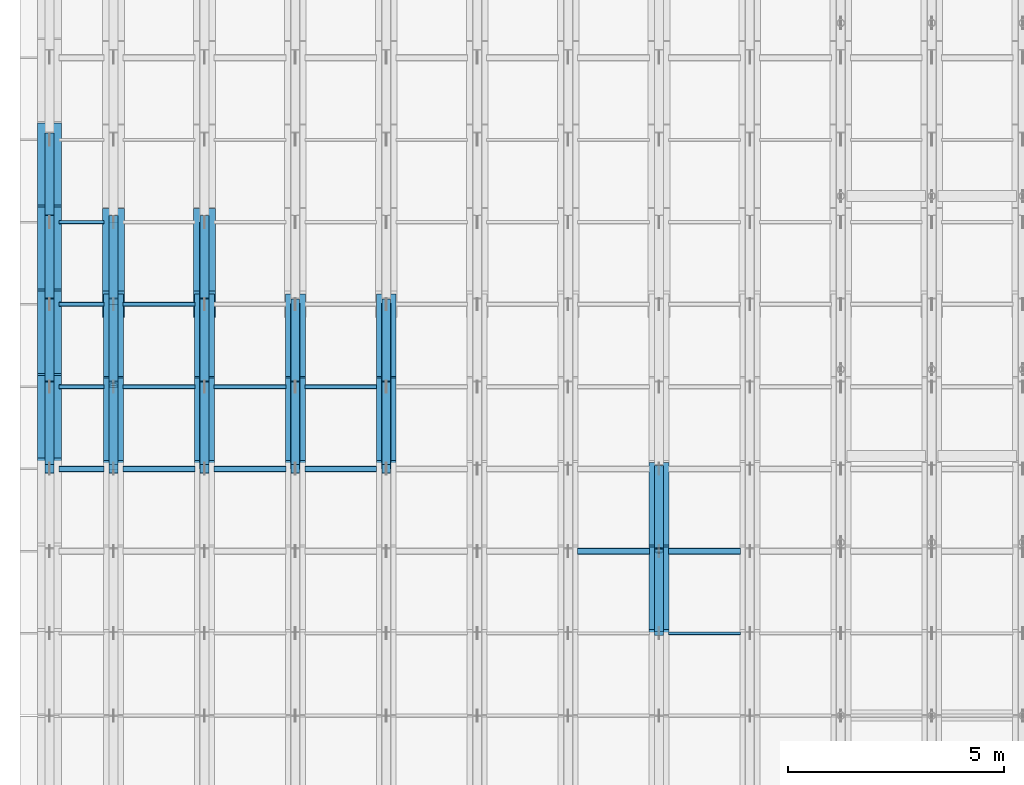
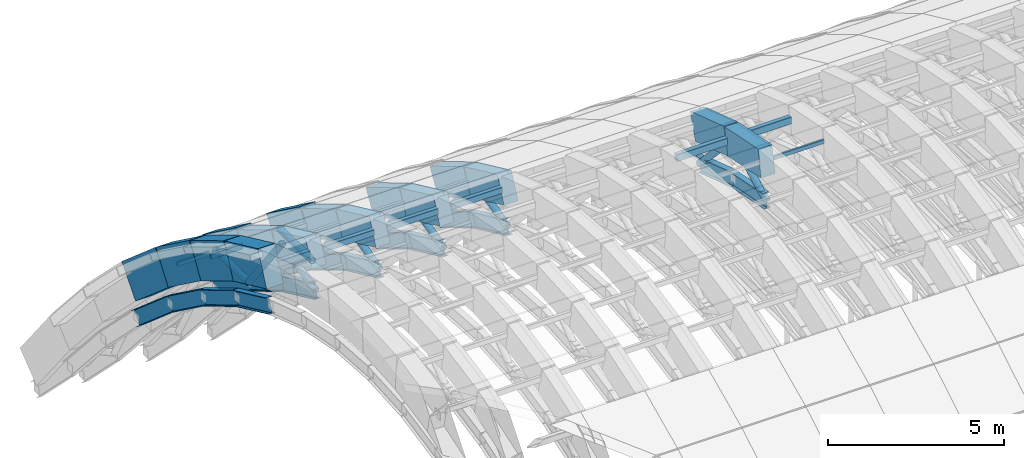
# One storey, part 13 of 67: 32 beams, 26 members.
"""IFC4 building model written with IfcOpenShell, lengths in metres."""

from ifc_helpers import new_model, si_unit, direction, frame, origin, origin_2d, place, context, subcontext, project, spatial, rectangle, hollow_rectangle, hollow_circle, i_section, extrude, material, material_profile, profile_set, type_object, element, save


model = new_model("IFC4")

# Units and contexts
model_context = context("Model", 3, precision=1e-05, world=origin(), true_north=direction((0.0, 1.0)))
body_context = subcontext(model_context, "Body", "Model", "MODEL_VIEW")
ifc_project = project(units=[si_unit("LENGTHUNIT", "METRE"), si_unit("AREAUNIT", "SQUARE_METRE"), si_unit("VOLUMEUNIT", "CUBIC_METRE"), si_unit("PLANEANGLEUNIT", "RADIAN"), si_unit("MASSUNIT", "GRAM", prefix="KILO")], contexts=[model_context])

# Site, building, storey
site_placement = place(None, origin())
site = spatial("IfcSite", under=ifc_project, at=site_placement, CompositionType="ELEMENT")
building_placement = place(site_placement, origin())
building = spatial("IfcBuilding", under=site, at=building_placement, Name="Shengluoqiao Park Theatre", CompositionType="ELEMENT")
storey_placement = place(building_placement, frame((0.0, 0.0, 28.60009765625)))
storey = spatial("IfcBuildingStorey", under=building, at=storey_placement, Name="Roof", CompositionType="ELEMENT", Elevation=28.60009765625)

# Beams
ifc_material_1 = material(Name="Concrete C50", Category="concrete")
ifc_material_profile_1 = material_profile(ifc_material_1, rectangle(XDim=0.4599609375, YDim=0.919921875, at=origin_2d()), Name="RC ARCH 460x920")
ifc_profile_set_1 = profile_set([ifc_material_profile_1], Name="Concrete C50")
beam_type_1 = type_object("IfcBeamType", Name="STR-BM-AR-4609", PredefinedType="BEAM", material=ifc_profile_set_1)
beam_1_placement = place(storey_placement, frame((46.5, 100.699951171875, 1.44580078125), z_axis=(0.0, 0.907077318021, -0.420964059192), x_axis=(-1.0, 0.0, 0.0)))
element("IfcBeam", 1, at=beam_1_placement, inside=storey, type_object=beam_type_1, Name="Barrel-Shell Arch Rib R02-S14", PredefinedType="BEAM", context=body_context, shape_type="SweptSolid", body=[
    extrude(rectangle(XDim=0.4599609375, YDim=0.919921875, at=origin_2d()), origin(), (0.0, 0.0, 1.0), 2.0947265625),
])
beam_2_placement = place(storey_placement, frame((46.5, 102.60009765625, 0.56396484375), z_axis=(0.0, 0.858668723557, -0.512530997292), x_axis=(-1.0, 0.0, 0.0)))
element("IfcBeam", 2, at=beam_2_placement, inside=storey, type_object=beam_type_1, Name="Barrel-Shell Arch Rib R02-S15", PredefinedType="BEAM", context=body_context, shape_type="SweptSolid", body=[
    extrude(rectangle(XDim=0.4599609375, YDim=0.919921875, at=origin_2d()), origin(), (0.0, 0.0, 1.0), 2.212646484375),
])
beam_3_placement = place(storey_placement, frame((48.60009765625, 100.699951171875, 1.44580078125), z_axis=(0.0, 0.907077318021, -0.420964059192), x_axis=(-1.0, 0.0, 0.0)))
element("IfcBeam", 3, at=beam_3_placement, inside=storey, type_object=beam_type_1, Name="Barrel-Shell Arch Rib R03-S14", PredefinedType="BEAM", context=body_context, shape_type="SweptSolid", body=[
    extrude(rectangle(XDim=0.4599609375, YDim=0.919921875, at=origin_2d()), origin(), (0.0, 0.0, 1.0), 2.0947265625),
])
beam_4_placement = place(storey_placement, frame((48.60009765625, 102.60009765625, 0.56396484375), z_axis=(0.0, 0.858668723557, -0.512530997292), x_axis=(-1.0, 0.0, 0.0)))
element("IfcBeam", 4, at=beam_4_placement, inside=storey, type_object=beam_type_1, Name="Barrel-Shell Arch Rib R03-S15", PredefinedType="BEAM", context=body_context, shape_type="SweptSolid", body=[
    extrude(rectangle(XDim=0.4599609375, YDim=0.919921875, at=origin_2d()), origin(), (0.0, 0.0, 1.0), 2.212646484375),
])
beam_5_placement = place(storey_placement, frame((50.699951171875, 100.699951171875, 1.44580078125), z_axis=(0.0, 0.907077318021, -0.420964059192), x_axis=(-1.0, 0.0, 0.0)))
element("IfcBeam", 5, at=beam_5_placement, inside=storey, type_object=beam_type_1, Name="Barrel-Shell Arch Rib R04-S14", PredefinedType="BEAM", context=body_context, shape_type="SweptSolid", body=[
    extrude(rectangle(XDim=0.4599609375, YDim=0.919921875, at=origin_2d()), origin(), (0.0, 0.0, 1.0), 2.0947265625),
])
beam_6_placement = place(storey_placement, frame((50.699951171875, 102.60009765625, 0.56396484375), z_axis=(0.0, 0.858668723557, -0.512530997292), x_axis=(-1.0, 0.0, 0.0)))
element("IfcBeam", 6, at=beam_6_placement, inside=storey, type_object=beam_type_1, Name="Barrel-Shell Arch Rib R04-S15", PredefinedType="BEAM", context=body_context, shape_type="SweptSolid", body=[
    extrude(rectangle(XDim=0.4599609375, YDim=0.919921875, at=origin_2d()), origin(), (0.0, 0.0, 1.0), 2.212646484375),
])
beam_7_placement = place(storey_placement, frame((52.800048828125, 100.699951171875, 1.44580078125), z_axis=(0.0, 0.907077318021, -0.420964059192), x_axis=(-1.0, 0.0, 0.0)))
element("IfcBeam", 7, at=beam_7_placement, inside=storey, type_object=beam_type_1, Name="Barrel-Shell Arch Rib R05-S14", PredefinedType="BEAM", context=body_context, shape_type="SweptSolid", body=[
    extrude(rectangle(XDim=0.4599609375, YDim=0.919921875, at=origin_2d()), origin(), (0.0, 0.0, 1.0), 2.0947265625),
])
beam_8_placement = place(storey_placement, frame((52.800048828125, 102.60009765625, 0.56396484375), z_axis=(0.0, 0.858668723557, -0.512530997292), x_axis=(-1.0, 0.0, 0.0)))
element("IfcBeam", 8, at=beam_8_placement, inside=storey, type_object=beam_type_1, Name="Barrel-Shell Arch Rib R05-S15", PredefinedType="BEAM", context=body_context, shape_type="SweptSolid", body=[
    extrude(rectangle(XDim=0.4599609375, YDim=0.919921875, at=origin_2d()), origin(), (0.0, 0.0, 1.0), 2.212646484375),
])
beam_9_placement = place(storey_placement, frame((59.10009765625, 96.89990234375, 2.453857421875), z_axis=(0.0, 0.980788534345, -0.195073962632), x_axis=(-1.0, 0.0, 0.0)))
element("IfcBeam", 9, at=beam_9_placement, inside=storey, type_object=beam_type_1, Name="Barrel-Shell Arch Rib R08-S12", PredefinedType="BEAM", context=body_context, shape_type="SweptSolid", body=[
    extrude(rectangle(XDim=0.4599609375, YDim=0.919921875, at=origin_2d()), origin(), (0.0, 0.0, 1.0), 1.937255859375),
])
beam_10_placement = place(storey_placement, frame((59.10009765625, 98.800048828125, 2.075927734375), z_axis=(0.0, 0.949157901431, -0.314800378257), x_axis=(-1.0, 0.0, 0.0)))
element("IfcBeam", 10, at=beam_10_placement, inside=storey, type_object=beam_type_1, Name="Barrel-Shell Arch Rib R08-S13", PredefinedType="BEAM", context=body_context, shape_type="SweptSolid", body=[
    extrude(rectangle(XDim=0.4599609375, YDim=0.919921875, at=origin_2d()), origin(), (0.0, 0.0, 1.0), 2.001708984375),
])
ifc_material_profile_2 = material_profile(ifc_material_1, rectangle(XDim=0.5, YDim=1.050048828125, at=origin_2d()), Name="RC ARCH 500x1050")
ifc_profile_set_2 = profile_set([ifc_material_profile_2], Name="Concrete C50")
beam_type_2 = type_object("IfcBeamType", Name="STR-BM-AR-5010", PredefinedType="BEAM", material=ifc_profile_set_2)
for number, where, z_axis, x_axis, name in (
    (11, (46.5, 104.5, -0.570068359375), (0.0, 0.807877780345, -0.589350058985), (-1.0, 0.0, 0.0), "Barrel-Shell Arch Rib R02-S16"),
    (12, (48.60009765625, 104.5, -0.570068359375), (0.0, 0.807877780345, -0.589350058985), (-1.0, 0.0, 0.0), "Barrel-Shell Arch Rib R03-S16"),
):
    element("IfcBeam", number, at=place(storey_placement, frame(where, z_axis=z_axis, x_axis=x_axis)), inside=storey, type_object=beam_type_2, Name=name, PredefinedType="BEAM", context=body_context, shape_type="SweptSolid", body=[
        extrude(rectangle(XDim=0.5, YDim=1.050048828125, at=origin_2d()), origin(), (0.0, 0.0, 1.0), 2.351806640625),
    ])
ifc_material_profile_3 = material_profile(ifc_material_1, rectangle(XDim=0.550048828125, YDim=1.199951171875, at=origin_2d()), Name="RC ARCH 550x1200")
ifc_profile_set_3 = profile_set([ifc_material_profile_3], Name="Concrete C50")
beam_type_3 = type_object("IfcBeamType", Name="STR-BM-AR-5512", PredefinedType="BEAM", material=ifc_profile_set_3)
beam_11_placement = place(storey_placement, frame((45.02001953125, 100.699951171875, 1.44580078125), z_axis=(0.0, 0.907077318021, -0.420964059192), x_axis=(-1.0, 0.0, 0.0)))
element("IfcBeam", 13, at=beam_11_placement, inside=storey, type_object=beam_type_3, Name="Barrel-Shell Arch Rib R01-S14", PredefinedType="BEAM", context=body_context, shape_type="SweptSolid", body=[
    extrude(rectangle(XDim=0.550048828125, YDim=1.199951171875, at=origin_2d()), origin(), (0.0, 0.0, 1.0), 2.0947265625),
])
beam_12_placement = place(storey_placement, frame((45.02001953125, 102.60009765625, 0.56396484375), z_axis=(0.0, 0.858668723557, -0.512530997292), x_axis=(-1.0, 0.0, 0.0)))
element("IfcBeam", 14, at=beam_12_placement, inside=storey, type_object=beam_type_3, Name="Barrel-Shell Arch Rib R01-S15", PredefinedType="BEAM", context=body_context, shape_type="SweptSolid", body=[
    extrude(rectangle(XDim=0.550048828125, YDim=1.199951171875, at=origin_2d()), origin(), (0.0, 0.0, 1.0), 2.212646484375),
])
beam_13_placement = place(storey_placement, frame((45.02001953125, 104.5, -0.570068359375), z_axis=(0.0, 0.807877780345, -0.589350058985), x_axis=(-1.0, 0.0, 0.0)))
element("IfcBeam", 15, at=beam_13_placement, inside=storey, type_object=beam_type_3, Name="Barrel-Shell Arch Rib R01-S16", PredefinedType="BEAM", context=body_context, shape_type="SweptSolid", body=[
    extrude(rectangle(XDim=0.550048828125, YDim=1.199951171875, at=origin_2d()), origin(), (0.0, 0.0, 1.0), 2.351806640625),
])
beam_14_placement = place(storey_placement, frame((45.02001953125, 106.39990234375, -1.9560546875), z_axis=(0.0, 0.757433195517, -0.652912669757), x_axis=(-1.0, 0.0, 0.0)))
element("IfcBeam", 16, at=beam_14_placement, inside=storey, type_object=beam_type_3, Name="Barrel-Shell Arch Rib R01-S17", PredefinedType="BEAM", context=body_context, shape_type="SweptSolid", body=[
    extrude(rectangle(XDim=0.550048828125, YDim=1.199951171875, at=origin_2d()), origin(), (0.0, 0.0, 1.0), 2.508544921875),
])
ifc_material_2 = material(Name="Steel Q355", Category="steel")
ifc_material_profile_4 = material_profile(ifc_material_2, i_section(OverallWidth=0.199951171875, OverallDepth=0.5, WebThickness=0.010009765625, FlangeThickness=0.01611328125, FilletRadius=0.01806640625, at=origin_2d()), Name="HN 500x200x10x16")
ifc_profile_set_4 = profile_set([ifc_material_profile_4], Name="Steel Q355")
beam_type_4 = type_object("IfcBeamType", Name="STR-BM-J-HN500", PredefinedType="JOIST", material=ifc_profile_set_4)
beam_15_placement = place(storey_placement, frame((45.02001953125, 100.699951171875, 0.0859375), z_axis=(0.0, 0.907032812412, -0.421059944911), x_axis=(-1.0, 0.0, 0.0)))
element("IfcBeam", 17, at=beam_15_placement, inside=storey, type_object=beam_type_4, Name="Barrel-Shell Lower Arch Chord R01-S14", PredefinedType="JOIST", context=body_context, shape_type="SweptSolid", body=[
    extrude(i_section(OverallWidth=0.199951171875, OverallDepth=0.5, WebThickness=0.010009765625, FlangeThickness=0.01611328125, FilletRadius=0.01806640625, at=origin_2d()), origin(), (0.0, 0.0, 1.0), 2.094970703125),
])
beam_16_placement = place(storey_placement, frame((45.02001953125, 102.60009765625, -0.796142578125), z_axis=(0.0, 0.858668723557, -0.512530997292), x_axis=(-1.0, 0.0, 0.0)))
element("IfcBeam", 18, at=beam_16_placement, inside=storey, type_object=beam_type_4, Name="Barrel-Shell Lower Arch Chord R01-S15", PredefinedType="JOIST", context=body_context, shape_type="SweptSolid", body=[
    extrude(i_section(OverallWidth=0.199951171875, OverallDepth=0.5, WebThickness=0.010009765625, FlangeThickness=0.01611328125, FilletRadius=0.01806640625, at=origin_2d()), origin(), (0.0, 0.0, 1.0), 2.212646484375),
])
beam_17_placement = place(storey_placement, frame((45.02001953125, 104.5, -1.93017578125), z_axis=(0.0, 0.807877780345, -0.589350058985), x_axis=(-1.0, 0.0, 0.0)))
element("IfcBeam", 19, at=beam_17_placement, inside=storey, type_object=beam_type_4, Name="Barrel-Shell Lower Arch Chord R01-S16", PredefinedType="JOIST", context=body_context, shape_type="SweptSolid", body=[
    extrude(i_section(OverallWidth=0.199951171875, OverallDepth=0.5, WebThickness=0.010009765625, FlangeThickness=0.01611328125, FilletRadius=0.01806640625, at=origin_2d()), origin(), (0.0, 0.0, 1.0), 2.351806640625),
])
beam_18_placement = place(storey_placement, frame((45.02001953125, 106.39990234375, -3.316162109375), z_axis=(0.0, 0.757433195517, -0.652912669757), x_axis=(-1.0, 0.0, 0.0)))
element("IfcBeam", 20, at=beam_18_placement, inside=storey, type_object=beam_type_4, Name="Barrel-Shell Lower Arch Chord R01-S17", PredefinedType="JOIST", context=body_context, shape_type="SweptSolid", body=[
    extrude(i_section(OverallWidth=0.199951171875, OverallDepth=0.5, WebThickness=0.010009765625, FlangeThickness=0.01611328125, FilletRadius=0.01806640625, at=origin_2d()), origin(), (0.0, 0.0, 1.0), 2.508544921875),
])
beam_19_placement = place(storey_placement, frame((46.5, 100.699951171875, 0.0859375), z_axis=(0.0, 0.907032812412, -0.421059944911), x_axis=(-1.0, 0.0, 0.0)))
element("IfcBeam", 21, at=beam_19_placement, inside=storey, type_object=beam_type_4, Name="Barrel-Shell Lower Arch Chord R02-S14", PredefinedType="JOIST", context=body_context, shape_type="SweptSolid", body=[
    extrude(i_section(OverallWidth=0.199951171875, OverallDepth=0.5, WebThickness=0.010009765625, FlangeThickness=0.01611328125, FilletRadius=0.01806640625, at=origin_2d()), origin(), (0.0, 0.0, 1.0), 2.094970703125),
])
beam_20_placement = place(storey_placement, frame((46.5, 102.60009765625, -0.796142578125), z_axis=(0.0, 0.858668723557, -0.512530997292), x_axis=(-1.0, 0.0, 0.0)))
element("IfcBeam", 22, at=beam_20_placement, inside=storey, type_object=beam_type_4, Name="Barrel-Shell Lower Arch Chord R02-S15", PredefinedType="JOIST", context=body_context, shape_type="SweptSolid", body=[
    extrude(i_section(OverallWidth=0.199951171875, OverallDepth=0.5, WebThickness=0.010009765625, FlangeThickness=0.01611328125, FilletRadius=0.01806640625, at=origin_2d()), origin(), (0.0, 0.0, 1.0), 2.212646484375),
])
beam_21_placement = place(storey_placement, frame((46.5, 104.5, -1.93017578125), z_axis=(0.0, 0.807877780345, -0.589350058985), x_axis=(-1.0, 0.0, 0.0)))
element("IfcBeam", 23, at=beam_21_placement, inside=storey, type_object=beam_type_4, Name="Barrel-Shell Lower Arch Chord R02-S16", PredefinedType="JOIST", context=body_context, shape_type="SweptSolid", body=[
    extrude(i_section(OverallWidth=0.199951171875, OverallDepth=0.5, WebThickness=0.010009765625, FlangeThickness=0.01611328125, FilletRadius=0.01806640625, at=origin_2d()), origin(), (0.0, 0.0, 1.0), 2.351806640625),
])
beam_22_placement = place(storey_placement, frame((48.60009765625, 100.699951171875, 0.0859375), z_axis=(0.0, 0.907032812412, -0.421059944911), x_axis=(-1.0, 0.0, 0.0)))
element("IfcBeam", 24, at=beam_22_placement, inside=storey, type_object=beam_type_4, Name="Barrel-Shell Lower Arch Chord R03-S14", PredefinedType="JOIST", context=body_context, shape_type="SweptSolid", body=[
    extrude(i_section(OverallWidth=0.199951171875, OverallDepth=0.5, WebThickness=0.010009765625, FlangeThickness=0.01611328125, FilletRadius=0.01806640625, at=origin_2d()), origin(), (0.0, 0.0, 1.0), 2.094970703125),
])
beam_23_placement = place(storey_placement, frame((48.60009765625, 102.60009765625, -0.796142578125), z_axis=(0.0, 0.858668723557, -0.512530997292), x_axis=(-1.0, 0.0, 0.0)))
element("IfcBeam", 25, at=beam_23_placement, inside=storey, type_object=beam_type_4, Name="Barrel-Shell Lower Arch Chord R03-S15", PredefinedType="JOIST", context=body_context, shape_type="SweptSolid", body=[
    extrude(i_section(OverallWidth=0.199951171875, OverallDepth=0.5, WebThickness=0.010009765625, FlangeThickness=0.01611328125, FilletRadius=0.01806640625, at=origin_2d()), origin(), (0.0, 0.0, 1.0), 2.212646484375),
])
beam_24_placement = place(storey_placement, frame((48.60009765625, 104.5, -1.93017578125), z_axis=(0.0, 0.807877780345, -0.589350058985), x_axis=(-1.0, 0.0, 0.0)))
element("IfcBeam", 26, at=beam_24_placement, inside=storey, type_object=beam_type_4, Name="Barrel-Shell Lower Arch Chord R03-S16", PredefinedType="JOIST", context=body_context, shape_type="SweptSolid", body=[
    extrude(i_section(OverallWidth=0.199951171875, OverallDepth=0.5, WebThickness=0.010009765625, FlangeThickness=0.01611328125, FilletRadius=0.01806640625, at=origin_2d()), origin(), (0.0, 0.0, 1.0), 2.351806640625),
])
beam_25_placement = place(storey_placement, frame((50.699951171875, 100.699951171875, 0.0859375), z_axis=(0.0, 0.907032812412, -0.421059944911), x_axis=(-1.0, 0.0, 0.0)))
element("IfcBeam", 27, at=beam_25_placement, inside=storey, type_object=beam_type_4, Name="Barrel-Shell Lower Arch Chord R04-S14", PredefinedType="JOIST", context=body_context, shape_type="SweptSolid", body=[
    extrude(i_section(OverallWidth=0.199951171875, OverallDepth=0.5, WebThickness=0.010009765625, FlangeThickness=0.01611328125, FilletRadius=0.01806640625, at=origin_2d()), origin(), (0.0, 0.0, 1.0), 2.094970703125),
])
beam_26_placement = place(storey_placement, frame((50.699951171875, 102.60009765625, -0.796142578125), z_axis=(0.0, 0.858668723557, -0.512530997292), x_axis=(-1.0, 0.0, 0.0)))
element("IfcBeam", 28, at=beam_26_placement, inside=storey, type_object=beam_type_4, Name="Barrel-Shell Lower Arch Chord R04-S15", PredefinedType="JOIST", context=body_context, shape_type="SweptSolid", body=[
    extrude(i_section(OverallWidth=0.199951171875, OverallDepth=0.5, WebThickness=0.010009765625, FlangeThickness=0.01611328125, FilletRadius=0.01806640625, at=origin_2d()), origin(), (0.0, 0.0, 1.0), 2.212646484375),
])
beam_27_placement = place(storey_placement, frame((52.800048828125, 100.699951171875, 0.0859375), z_axis=(0.0, 0.907032812412, -0.421059944911), x_axis=(-1.0, 0.0, 0.0)))
element("IfcBeam", 29, at=beam_27_placement, inside=storey, type_object=beam_type_4, Name="Barrel-Shell Lower Arch Chord R05-S14", PredefinedType="JOIST", context=body_context, shape_type="SweptSolid", body=[
    extrude(i_section(OverallWidth=0.199951171875, OverallDepth=0.5, WebThickness=0.010009765625, FlangeThickness=0.01611328125, FilletRadius=0.01806640625, at=origin_2d()), origin(), (0.0, 0.0, 1.0), 2.094970703125),
])
beam_28_placement = place(storey_placement, frame((52.800048828125, 102.60009765625, -0.796142578125), z_axis=(0.0, 0.858668723557, -0.512530997292), x_axis=(-1.0, 0.0, 0.0)))
element("IfcBeam", 30, at=beam_28_placement, inside=storey, type_object=beam_type_4, Name="Barrel-Shell Lower Arch Chord R05-S15", PredefinedType="JOIST", context=body_context, shape_type="SweptSolid", body=[
    extrude(i_section(OverallWidth=0.199951171875, OverallDepth=0.5, WebThickness=0.010009765625, FlangeThickness=0.01611328125, FilletRadius=0.01806640625, at=origin_2d()), origin(), (0.0, 0.0, 1.0), 2.212646484375),
])
beam_29_placement = place(storey_placement, frame((59.10009765625, 96.89990234375, 1.093994140625), z_axis=(0.0, 0.980764417124, -0.19519517951), x_axis=(-1.0, 0.0, 0.0)))
element("IfcBeam", 31, at=beam_29_placement, inside=storey, type_object=beam_type_4, Name="Barrel-Shell Lower Arch Chord R08-S12", PredefinedType="JOIST", context=body_context, shape_type="SweptSolid", body=[
    extrude(i_section(OverallWidth=0.199951171875, OverallDepth=0.5, WebThickness=0.010009765625, FlangeThickness=0.01611328125, FilletRadius=0.01806640625, at=origin_2d()), origin(), (0.0, 0.0, 1.0), 1.9375),
])
beam_30_placement = place(storey_placement, frame((59.10009765625, 98.800048828125, 0.7158203125), z_axis=(0.0, 0.949194340043, -0.314690490531), x_axis=(-1.0, 0.0, 0.0)))
element("IfcBeam", 32, at=beam_30_placement, inside=storey, type_object=beam_type_4, Name="Barrel-Shell Lower Arch Chord R08-S13", PredefinedType="JOIST", context=body_context, shape_type="SweptSolid", body=[
    extrude(i_section(OverallWidth=0.199951171875, OverallDepth=0.5, WebThickness=0.010009765625, FlangeThickness=0.01611328125, FilletRadius=0.01806640625, at=origin_2d()), origin(), (0.0, 0.0, 1.0), 2.001708984375),
])

# Members
ifc_material_profile_5 = material_profile(ifc_material_2, hollow_circle(Radius=0.109619140625, WallThickness=0.010009765625, at=origin_2d()), Name="CHS 219x10")
ifc_profile_set_5 = profile_set([ifc_material_profile_5], Name="Steel Q355")
member_type_1 = type_object("IfcMemberType", Name="STR-MEM-BRC-219", PredefinedType="BRACE", material=ifc_profile_set_5)
member_1_placement = place(storey_placement, frame((46.5, 100.699951171875, 0.0859375), z_axis=(0.0, 0.96978228772, 0.243971954176), x_axis=(-1.0, 0.0, 0.0)))
element("IfcMember", 33, at=member_1_placement, inside=storey, type_object=member_type_1, Name="Barrel-Shell Arch Truss Web 0034", PredefinedType="BRACE", context=body_context, shape_type="SweptSolid", body=[
    extrude(hollow_circle(Radius=0.109619140625, WallThickness=0.010009765625, at=origin_2d()), origin(), (0.0, 0.0, 1.0), 1.95947265625),
])
member_2_placement = place(storey_placement, frame((46.5, 102.60009765625, 0.56396484375), z_axis=(0.0, 0.605963445698, -0.795492490523), x_axis=(-1.0, 0.0, 0.0)))
element("IfcMember", 34, at=member_2_placement, inside=storey, type_object=member_type_1, Name="Barrel-Shell Arch Truss Web 0035", PredefinedType="BRACE", context=body_context, shape_type="SweptSolid", body=[
    extrude(hollow_circle(Radius=0.109619140625, WallThickness=0.010009765625, at=origin_2d()), origin(), (0.0, 0.0, 1.0), 3.13525390625),
])
member_3_placement = place(storey_placement, frame((46.5, 104.5, -1.93017578125), z_axis=(0.0, 0.999907244674, -0.013619913639), x_axis=(-1.0, 0.0, 0.0)))
element("IfcMember", 35, at=member_3_placement, inside=storey, type_object=member_type_1, Name="Barrel-Shell Arch Truss Web 0036", PredefinedType="BRACE", context=body_context, shape_type="SweptSolid", body=[
    extrude(hollow_circle(Radius=0.109619140625, WallThickness=0.010009765625, at=origin_2d()), origin(), (0.0, 0.0, 1.0), 1.900146484375),
])
member_4_placement = place(storey_placement, frame((48.60009765625, 100.699951171875, 0.0859375), z_axis=(0.0, 0.96978228772, 0.243971954176), x_axis=(-1.0, 0.0, 0.0)))
element("IfcMember", 36, at=member_4_placement, inside=storey, type_object=member_type_1, Name="Barrel-Shell Arch Truss Web 0054", PredefinedType="BRACE", context=body_context, shape_type="SweptSolid", body=[
    extrude(hollow_circle(Radius=0.109619140625, WallThickness=0.010009765625, at=origin_2d()), origin(), (0.0, 0.0, 1.0), 1.95947265625),
])
member_5_placement = place(storey_placement, frame((48.60009765625, 102.60009765625, 0.56396484375), z_axis=(0.0, 0.605963445698, -0.795492490523), x_axis=(-1.0, 0.0, 0.0)))
element("IfcMember", 37, at=member_5_placement, inside=storey, type_object=member_type_1, Name="Barrel-Shell Arch Truss Web 0055", PredefinedType="BRACE", context=body_context, shape_type="SweptSolid", body=[
    extrude(hollow_circle(Radius=0.109619140625, WallThickness=0.010009765625, at=origin_2d()), origin(), (0.0, 0.0, 1.0), 3.13525390625),
])
member_6_placement = place(storey_placement, frame((48.60009765625, 104.5, -1.93017578125), z_axis=(0.0, 0.999907244674, -0.013619913639), x_axis=(-1.0, 0.0, 0.0)))
element("IfcMember", 38, at=member_6_placement, inside=storey, type_object=member_type_1, Name="Barrel-Shell Arch Truss Web 0056", PredefinedType="BRACE", context=body_context, shape_type="SweptSolid", body=[
    extrude(hollow_circle(Radius=0.109619140625, WallThickness=0.010009765625, at=origin_2d()), origin(), (0.0, 0.0, 1.0), 1.900146484375),
])
member_7_placement = place(storey_placement, frame((50.699951171875, 100.699951171875, 0.0859375), z_axis=(0.0, 0.96978228772, 0.243971954176), x_axis=(-1.0, 0.0, 0.0)))
element("IfcMember", 39, at=member_7_placement, inside=storey, type_object=member_type_1, Name="Barrel-Shell Arch Truss Web 0074", PredefinedType="BRACE", context=body_context, shape_type="SweptSolid", body=[
    extrude(hollow_circle(Radius=0.109619140625, WallThickness=0.010009765625, at=origin_2d()), origin(), (0.0, 0.0, 1.0), 1.95947265625),
])
member_8_placement = place(storey_placement, frame((50.699951171875, 102.60009765625, 0.56396484375), z_axis=(0.0, 0.605963445698, -0.795492490523), x_axis=(-1.0, 0.0, 0.0)))
element("IfcMember", 40, at=member_8_placement, inside=storey, type_object=member_type_1, Name="Barrel-Shell Arch Truss Web 0075", PredefinedType="BRACE", context=body_context, shape_type="SweptSolid", body=[
    extrude(hollow_circle(Radius=0.109619140625, WallThickness=0.010009765625, at=origin_2d()), origin(), (0.0, 0.0, 1.0), 3.13525390625),
])
member_9_placement = place(storey_placement, frame((52.800048828125, 100.699951171875, 0.0859375), z_axis=(0.0, 0.96978228772, 0.243971954176), x_axis=(-1.0, 0.0, 0.0)))
element("IfcMember", 41, at=member_9_placement, inside=storey, type_object=member_type_1, Name="Barrel-Shell Arch Truss Web 0094", PredefinedType="BRACE", context=body_context, shape_type="SweptSolid", body=[
    extrude(hollow_circle(Radius=0.109619140625, WallThickness=0.010009765625, at=origin_2d()), origin(), (0.0, 0.0, 1.0), 1.95947265625),
])
member_10_placement = place(storey_placement, frame((52.800048828125, 102.60009765625, 0.56396484375), z_axis=(0.0, 0.605963445698, -0.795492490523), x_axis=(-1.0, 0.0, 0.0)))
element("IfcMember", 42, at=member_10_placement, inside=storey, type_object=member_type_1, Name="Barrel-Shell Arch Truss Web 0095", PredefinedType="BRACE", context=body_context, shape_type="SweptSolid", body=[
    extrude(hollow_circle(Radius=0.109619140625, WallThickness=0.010009765625, at=origin_2d()), origin(), (0.0, 0.0, 1.0), 3.13525390625),
])
member_11_placement = place(storey_placement, frame((59.10009765625, 96.89990234375, 1.093994140625), z_axis=(0.0, 0.888389440766, 0.459090624535), x_axis=(-1.0, 0.0, 0.0)))
element("IfcMember", 43, at=member_11_placement, inside=storey, type_object=member_type_1, Name="Barrel-Shell Arch Truss Web 0152", PredefinedType="BRACE", context=body_context, shape_type="SweptSolid", body=[
    extrude(hollow_circle(Radius=0.109619140625, WallThickness=0.010009765625, at=origin_2d()), origin(), (0.0, 0.0, 1.0), 2.138916015625),
])
member_12_placement = place(storey_placement, frame((59.10009765625, 98.800048828125, 2.075927734375), z_axis=(0.0, 0.690545389436, -0.723289060562), x_axis=(-1.0, 0.0, 0.0)))
element("IfcMember", 44, at=member_12_placement, inside=storey, type_object=member_type_1, Name="Barrel-Shell Arch Truss Web 0153", PredefinedType="BRACE", context=body_context, shape_type="SweptSolid", body=[
    extrude(hollow_circle(Radius=0.109619140625, WallThickness=0.010009765625, at=origin_2d()), origin(), (0.0, 0.0, 1.0), 2.751220703125),
])
ifc_material_profile_6 = material_profile(ifc_material_2, hollow_rectangle(XDim=0.070068359375, YDim=0.139892578125, WallThickness=0.006103515625, InnerFilletRadius=0.006103515625, OuterFilletRadius=0.011962890625, at=origin_2d()), Name="RHS 140x70x6")
ifc_profile_set_6 = profile_set([ifc_material_profile_6], Name="Steel Q355")
member_type_2 = type_object("IfcMemberType", Name="STR-MEM-PU-R140", PredefinedType="PURLIN", material=ifc_profile_set_6)
member_13_placement = place(storey_placement, frame((59.320068359375, 96.89990234375, 2.50390625), z_axis=(1.0, 0.0, 0.0), x_axis=(0.0, 1.0, 0.0)))
element("IfcMember", 45, at=member_13_placement, inside=storey, type_object=member_type_2, Name="Shell Longitudinal Purlin 0144", PredefinedType="PURLIN", context=body_context, shape_type="SweptSolid", body=[
    extrude(hollow_rectangle(XDim=0.070068359375, YDim=0.139892578125, WallThickness=0.006103515625, InnerFilletRadius=0.006103515625, OuterFilletRadius=0.011962890625, at=origin_2d()), origin(), (0.0, 0.0, 1.0), 1.659912109375),
])
ifc_material_profile_7 = material_profile(ifc_material_2, hollow_rectangle(XDim=0.080078125, YDim=0.159912109375, WallThickness=0.006103515625, InnerFilletRadius=0.006103515625, OuterFilletRadius=0.011962890625, at=origin_2d()), Name="RHS 160x80x6")
ifc_profile_set_7 = profile_set([ifc_material_profile_7], Name="Steel Q355")
member_type_3 = type_object("IfcMemberType", Name="STR-MEM-PU-R160", PredefinedType="PURLIN", material=ifc_profile_set_7)
member_14_placement = place(storey_placement, frame((45.239990234375, 106.39990234375, -2.006103515625), z_axis=(1.0, 0.0, 0.0), x_axis=(0.0, 1.0, 0.0)))
element("IfcMember", 46, at=member_14_placement, inside=storey, type_object=member_type_3, Name="Shell Longitudinal Purlin 0016", PredefinedType="PURLIN", context=body_context, shape_type="SweptSolid", body=[
    extrude(hollow_rectangle(XDim=0.080078125, YDim=0.159912109375, WallThickness=0.006103515625, InnerFilletRadius=0.006103515625, OuterFilletRadius=0.011962890625, at=origin_2d()), origin(), (0.0, 0.0, 1.0), 1.0400390625),
])
ifc_material_profile_8 = material_profile(ifc_material_2, hollow_rectangle(XDim=0.10009765625, YDim=0.179931640625, WallThickness=0.008056640625, InnerFilletRadius=0.008056640625, OuterFilletRadius=0.01611328125, at=origin_2d()), Name="RHS 180x100x8")
ifc_profile_set_8 = profile_set([ifc_material_profile_8], Name="Steel Q355")
member_type_4 = type_object("IfcMemberType", Name="STR-MEM-PU-R180", PredefinedType="PURLIN", material=ifc_profile_set_8)
member_15_placement = place(storey_placement, frame((45.239990234375, 104.5, -0.590087890625), z_axis=(1.0, 0.0, 0.0), x_axis=(0.0, 1.0, 0.0)))
element("IfcMember", 47, at=member_15_placement, inside=storey, type_object=member_type_4, Name="Shell Longitudinal Purlin 0015", PredefinedType="PURLIN", context=body_context, shape_type="SweptSolid", body=[
    extrude(hollow_rectangle(XDim=0.10009765625, YDim=0.179931640625, WallThickness=0.008056640625, InnerFilletRadius=0.008056640625, OuterFilletRadius=0.01611328125, at=origin_2d()), origin(), (0.0, 0.0, 1.0), 1.0400390625),
])
member_16_placement = place(storey_placement, frame((46.719970703125, 104.5, -0.590087890625), z_axis=(1.0, 0.0, 0.0), x_axis=(0.0, 1.0, 0.0)))
element("IfcMember", 48, at=member_16_placement, inside=storey, type_object=member_type_4, Name="Shell Longitudinal Purlin 0034", PredefinedType="PURLIN", context=body_context, shape_type="SweptSolid", body=[
    extrude(hollow_rectangle(XDim=0.10009765625, YDim=0.179931640625, WallThickness=0.008056640625, InnerFilletRadius=0.008056640625, OuterFilletRadius=0.01611328125, at=origin_2d()), origin(), (0.0, 0.0, 1.0), 1.659912109375),
])
ifc_material_profile_9 = material_profile(ifc_material_2, hollow_rectangle(XDim=0.10009765625, YDim=0.199951171875, WallThickness=0.008056640625, InnerFilletRadius=0.008056640625, OuterFilletRadius=0.01611328125, at=origin_2d()), Name="RHS 200x100x8")
ifc_profile_set_9 = profile_set([ifc_material_profile_9], Name="Steel Q355")
member_type_5 = type_object("IfcMemberType", Name="STR-MEM-PU-R200", PredefinedType="PURLIN", material=ifc_profile_set_9)
member_17_placement = place(storey_placement, frame((45.239990234375, 102.60009765625, 0.56396484375), z_axis=(1.0, 0.0, 0.0), x_axis=(0.0, 1.0, 0.0)))
element("IfcMember", 49, at=member_17_placement, inside=storey, type_object=member_type_5, Name="Shell Longitudinal Purlin 0014", PredefinedType="PURLIN", context=body_context, shape_type="SweptSolid", body=[
    extrude(hollow_rectangle(XDim=0.10009765625, YDim=0.199951171875, WallThickness=0.008056640625, InnerFilletRadius=0.008056640625, OuterFilletRadius=0.01611328125, at=origin_2d()), origin(), (0.0, 0.0, 1.0), 1.0400390625),
])
for number, where, z_axis, x_axis, name in (
    (50, (46.719970703125, 102.60009765625, 0.56396484375), (1.0, 0.0, 0.0), (0.0, 1.0, 0.0), "Shell Longitudinal Purlin 0033"),
    (51, (48.820068359375, 102.60009765625, 0.56396484375), (1.0, 0.0, 0.0), (0.0, 1.0, 0.0), "Shell Longitudinal Purlin 0052"),
):
    element("IfcMember", number, at=place(storey_placement, frame(where, z_axis=z_axis, x_axis=x_axis)), inside=storey, type_object=member_type_5, Name=name, PredefinedType="PURLIN", context=body_context, shape_type="SweptSolid", body=[
        extrude(hollow_rectangle(XDim=0.10009765625, YDim=0.199951171875, WallThickness=0.008056640625, InnerFilletRadius=0.008056640625, OuterFilletRadius=0.01611328125, at=origin_2d()), origin(), (0.0, 0.0, 1.0), 1.659912109375),
    ])
member_18_placement = place(storey_placement, frame((50.919921875, 102.60009765625, 0.56396484375), z_axis=(1.0, 0.0, 0.0), x_axis=(0.0, 1.0, 0.0)))
element("IfcMember", 52, at=member_18_placement, inside=storey, type_object=member_type_5, Name="Shell Longitudinal Purlin 0071", PredefinedType="PURLIN", context=body_context, shape_type="SweptSolid", body=[
    extrude(hollow_rectangle(XDim=0.10009765625, YDim=0.199951171875, WallThickness=0.008056640625, InnerFilletRadius=0.008056640625, OuterFilletRadius=0.01611328125, at=origin_2d()), origin(), (0.0, 0.0, 1.0), 1.66015625),
])
ifc_material_profile_10 = material_profile(ifc_material_2, hollow_rectangle(XDim=0.139892578125, YDim=0.219970703125, WallThickness=0.010009765625, InnerFilletRadius=0.010009765625, OuterFilletRadius=0.02001953125, at=origin_2d()), Name="RHS 220x140x10")
ifc_profile_set_10 = profile_set([ifc_material_profile_10], Name="Steel Q355")
member_type_6 = type_object("IfcMemberType", Name="STR-MEM-PU-R220", PredefinedType="PURLIN", material=ifc_profile_set_10)
member_19_placement = place(storey_placement, frame((45.239990234375, 100.699951171875, 1.4658203125), z_axis=(1.0, 0.0, 0.0), x_axis=(0.0, 1.0, 0.0)))
element("IfcMember", 53, at=member_19_placement, inside=storey, type_object=member_type_6, Name="Shell Longitudinal Purlin 0013", PredefinedType="PURLIN", context=body_context, shape_type="SweptSolid", body=[
    extrude(hollow_rectangle(XDim=0.139892578125, YDim=0.219970703125, WallThickness=0.010009765625, InnerFilletRadius=0.010009765625, OuterFilletRadius=0.02001953125, at=origin_2d()), origin(), (0.0, 0.0, 1.0), 1.0400390625),
])
for number, where, z_axis, x_axis, name in (
    (54, (46.719970703125, 100.699951171875, 1.4658203125), (1.0, 0.0, 0.0), (0.0, 1.0, 0.0), "Shell Longitudinal Purlin 0032"),
    (55, (48.820068359375, 100.699951171875, 1.4658203125), (1.0, 0.0, 0.0), (0.0, 1.0, 0.0), "Shell Longitudinal Purlin 0051"),
):
    element("IfcMember", number, at=place(storey_placement, frame(where, z_axis=z_axis, x_axis=x_axis)), inside=storey, type_object=member_type_6, Name=name, PredefinedType="PURLIN", context=body_context, shape_type="SweptSolid", body=[
        extrude(hollow_rectangle(XDim=0.139892578125, YDim=0.219970703125, WallThickness=0.010009765625, InnerFilletRadius=0.010009765625, OuterFilletRadius=0.02001953125, at=origin_2d()), origin(), (0.0, 0.0, 1.0), 1.659912109375),
    ])
member_20_placement = place(storey_placement, frame((50.919921875, 100.699951171875, 1.4658203125), z_axis=(1.0, 0.0, 0.0), x_axis=(0.0, 1.0, 0.0)))
element("IfcMember", 56, at=member_20_placement, inside=storey, type_object=member_type_6, Name="Shell Longitudinal Purlin 0070", PredefinedType="PURLIN", context=body_context, shape_type="SweptSolid", body=[
    extrude(hollow_rectangle(XDim=0.139892578125, YDim=0.219970703125, WallThickness=0.010009765625, InnerFilletRadius=0.010009765625, OuterFilletRadius=0.02001953125, at=origin_2d()), origin(), (0.0, 0.0, 1.0), 1.66015625),
])
ifc_material_profile_11 = material_profile(ifc_material_2, hollow_rectangle(XDim=0.14990234375, YDim=0.25, WallThickness=0.010009765625, InnerFilletRadius=0.010009765625, OuterFilletRadius=0.02001953125, at=origin_2d()), Name="RHS 250x150x10")
ifc_profile_set_11 = profile_set([ifc_material_profile_11], Name="Steel Q355")
member_type_7 = type_object("IfcMemberType", Name="STR-MEM-PU-R250", PredefinedType="PURLIN", material=ifc_profile_set_11)
for number, where, z_axis, x_axis, name in (
    (57, (57.219970703125, 98.800048828125, 2.10595703125), (1.0, 0.0, 0.0), (0.0, 1.0, 0.0), "Shell Longitudinal Purlin 0126"),
    (58, (59.320068359375, 98.800048828125, 2.10595703125), (1.0, 0.0, 0.0), (0.0, 1.0, 0.0), "Shell Longitudinal Purlin 0145"),
):
    element("IfcMember", number, at=place(storey_placement, frame(where, z_axis=z_axis, x_axis=x_axis)), inside=storey, type_object=member_type_7, Name=name, PredefinedType="PURLIN", context=body_context, shape_type="SweptSolid", body=[
        extrude(hollow_rectangle(XDim=0.14990234375, YDim=0.25, WallThickness=0.010009765625, InnerFilletRadius=0.010009765625, OuterFilletRadius=0.02001953125, at=origin_2d()), origin(), (0.0, 0.0, 1.0), 1.659912109375),
    ])

save(model, "model.ifc")
